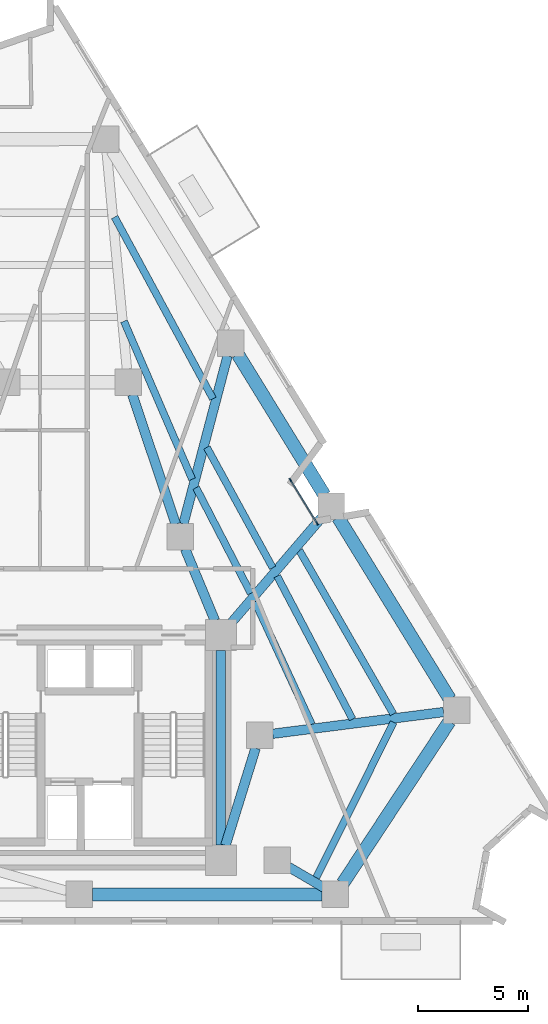
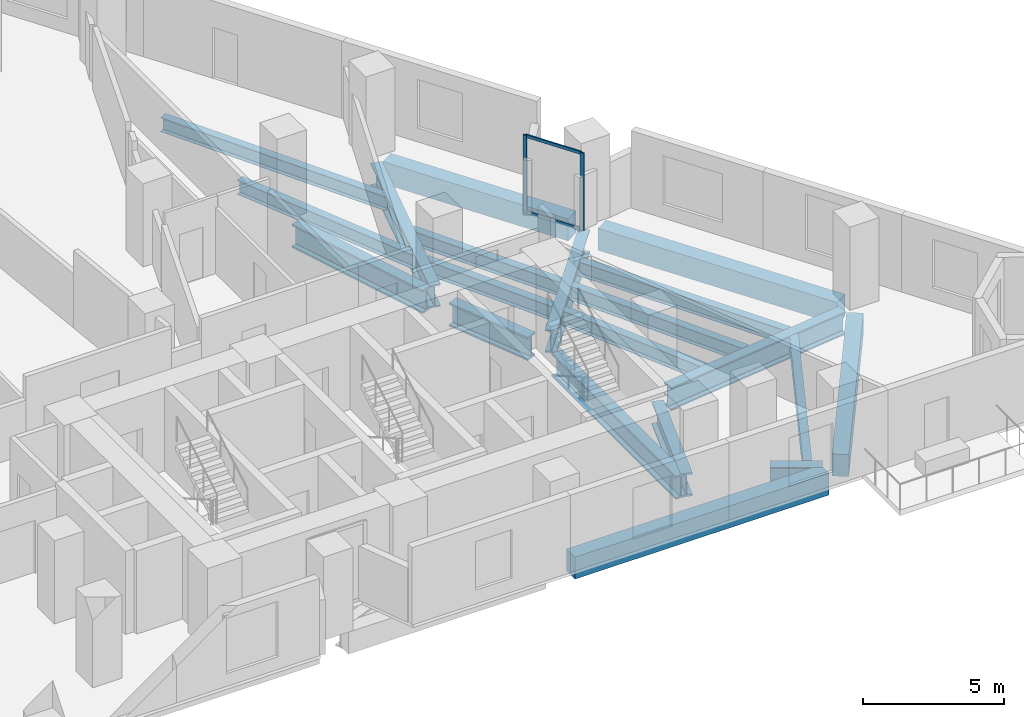
# One storey, part 4 of 13: 20 beams, 4 members, 1 element without a shape of its own.
"""IFC4 building model written with IfcOpenShell, lengths in metres."""

from ifc_helpers import new_model, si_unit, direction, frame, origin, origin_2d, place, context, subcontext, project, spatial, rectangle, i_section, extrude, material, layer, layer_set, material_profile, profile_set, type_object, element, aggregate, save


model = new_model("IFC4")

# Units and contexts
model_context = context("Model", 3, precision=1e-05, world=origin(), true_north=direction((0.0, 1.0)))
body_context = subcontext(model_context, "Body", "Model", "MODEL_VIEW")
ifc_project = project(units=[si_unit("LENGTHUNIT", "METRE"), si_unit("AREAUNIT", "SQUARE_METRE"), si_unit("VOLUMEUNIT", "CUBIC_METRE"), si_unit("PLANEANGLEUNIT", "RADIAN"), si_unit("MASSUNIT", "GRAM", prefix="KILO")], contexts=[model_context])

# Site, building, storey
site_placement = place(None, origin())
site = spatial("IfcSite", under=ifc_project, at=site_placement, CompositionType="ELEMENT")
building_placement = place(site_placement, origin())
building = spatial("IfcBuilding", under=site, at=building_placement, Name="Almagre Mirador Tower", CompositionType="ELEMENT")
storey_placement = place(building_placement, frame((0.0, 0.0, 85.800048828125)))
storey = spatial("IfcBuildingStorey", under=building, at=storey_placement, Name="L21", CompositionType="ELEMENT", Elevation=85.800048828125)

# Beams
ifc_material_1 = material(Name="Steel ASTM A992 Grade 50", Category="steel")
ifc_material_profile_1 = material_profile(ifc_material_1, i_section(OverallWidth=0.323974609375, OverallDepth=0.611083984375, WebThickness=0.0126953125, FlangeThickness=0.01904296875, FilletRadius=0.02001953125, at=origin_2d()), Name="W24X104")
ifc_profile_set_1 = profile_set([ifc_material_profile_1], Name="Steel ASTM A992 Grade 50")
beam_type_1 = type_object("IfcBeamType", Name="BM-JST-W24X104", PredefinedType="JOIST", material=ifc_profile_set_1)
beam_1_placement = place(storey_placement, frame((51.36865234375, 3.75927734375, -0.5556640625), z_axis=(0.445858512844, 0.89510345018, 0.0), x_axis=(-0.89510345018, 0.445858512844, 0.0)))
element("IfcBeam", 1, at=beam_1_placement, inside=storey, type_object=beam_type_1, Name="L21 secondary floor joist PC04-PC05.1", PredefinedType="JOIST", context=body_context, shape_type="SweptSolid", body=[
    extrude(i_section(OverallWidth=0.323974609375, OverallDepth=0.611083984375, WebThickness=0.0126953125, FlangeThickness=0.01904296875, FilletRadius=0.02001953125, at=origin_2d()), origin(), (0.0, 0.0, 1.0), 7.858154296875),
])
beam_2_placement = place(storey_placement, frame((54.861083984375, 11.170166015625, -0.5556640625), z_axis=(-0.498260180267, 0.867027561707, 0.0), x_axis=(-0.867027561707, -0.498260180267, 0.0)))
element("IfcBeam", 2, at=beam_2_placement, inside=storey, type_object=beam_type_1, Name="L21 secondary floor joist PC05-PC06.1", PredefinedType="JOIST", context=body_context, shape_type="SweptSolid", body=[
    extrude(i_section(OverallWidth=0.323974609375, OverallDepth=0.611083984375, WebThickness=0.0126953125, FlangeThickness=0.01904296875, FilletRadius=0.02001953125, at=origin_2d()), origin(), (0.0, 0.0, 1.0), 8.54638671875),
])
beam_3_placement = place(storey_placement, frame((53.010498046875, 10.937744140625, -0.5556640625), z_axis=(-0.466003449067, 0.884782903009, 0.0), x_axis=(-0.884782903009, -0.466003449067, 0.0)))
element("IfcBeam", 3, at=beam_3_placement, inside=storey, type_object=beam_type_1, Name="L21 secondary floor joist PC05-PC06.2", PredefinedType="JOIST", context=body_context, shape_type="SweptSolid", body=[
    extrude(i_section(OverallWidth=0.323974609375, OverallDepth=0.611083984375, WebThickness=0.0126953125, FlangeThickness=0.01904296875, FilletRadius=0.02001953125, at=origin_2d()), origin(), (0.0, 0.0, 1.0), 7.320556640625),
])
beam_4_placement = place(storey_placement, frame((51.16259765625, 10.7060546875, -0.5556640625), z_axis=(-0.420643946583, 0.90722580993, 0.0), x_axis=(-0.90722580993, -0.420643946583, 0.0)))
element("IfcBeam", 4, at=beam_4_placement, inside=storey, type_object=beam_type_1, Name="L21 secondary floor joist PC05-PC06.3", PredefinedType="JOIST", context=body_context, shape_type="SweptSolid", body=[
    extrude(i_section(OverallWidth=0.323974609375, OverallDepth=0.611083984375, WebThickness=0.0126953125, FlangeThickness=0.01904296875, FilletRadius=0.02001953125, at=origin_2d()), origin(), (0.0, 0.0, 1.0), 6.109375),
])
beam_5_placement = place(storey_placement, frame((49.396728515625, 17.7919921875, -0.5556640625), z_axis=(-0.479727277222, 0.877417653965, 0.0), x_axis=(-0.877417653965, -0.479727277222, 0.0)))
element("IfcBeam", 5, at=beam_5_placement, inside=storey, type_object=beam_type_1, Name="L21 secondary floor joist PC06-PC07.2", PredefinedType="JOIST", context=body_context, shape_type="SweptSolid", body=[
    extrude(i_section(OverallWidth=0.323974609375, OverallDepth=0.611083984375, WebThickness=0.0126953125, FlangeThickness=0.01904296875, FilletRadius=0.02001953125, at=origin_2d()), origin(), (0.0, 0.0, 1.0), 6.2138671875),
])
beam_6_placement = place(storey_placement, frame((48.404296875, 16.6328125, -0.5556640625), z_axis=(-0.459287235834, 0.888287810904, 0.0), x_axis=(-0.888287810904, -0.459287235834, 0.0)))
element("IfcBeam", 6, at=beam_6_placement, inside=storey, type_object=beam_type_1, Name="L21 secondary floor joist PC06-PC07.3", PredefinedType="JOIST", context=body_context, shape_type="SweptSolid", body=[
    extrude(i_section(OverallWidth=0.323974609375, OverallDepth=0.611083984375, WebThickness=0.0126953125, FlangeThickness=0.01904296875, FilletRadius=0.02001953125, at=origin_2d()), origin(), (0.0, 0.0, 1.0), 5.384765625),
])
beam_7_placement = place(storey_placement, frame((46.69140625, 25.44580078125, -0.5556640625), z_axis=(-0.475871200759, 0.879514980139, 0.0), x_axis=(-0.879514980139, -0.475871200759, 0.0)))
element("IfcBeam", 7, at=beam_7_placement, inside=storey, type_object=beam_type_1, Name="L21 secondary floor joist PC07-PC08.1", PredefinedType="JOIST", context=body_context, shape_type="SweptSolid", body=[
    extrude(i_section(OverallWidth=0.323974609375, OverallDepth=0.611083984375, WebThickness=0.0126953125, FlangeThickness=0.01904296875, FilletRadius=0.02001953125, at=origin_2d()), origin(), (0.0, 0.0, 1.0), 9.356201171875),
])
beam_8_placement = place(storey_placement, frame((45.748046875, 21.802490234375, -0.5556640625), z_axis=(-0.396311768179, 0.918115996159, 0.0), x_axis=(-0.918115996159, -0.396311768179, 0.0)))
element("IfcBeam", 8, at=beam_8_placement, inside=storey, type_object=beam_type_1, Name="L21 secondary floor joist PC07-PC08.3", PredefinedType="JOIST", context=body_context, shape_type="SweptSolid", body=[
    extrude(i_section(OverallWidth=0.323974609375, OverallDepth=0.611083984375, WebThickness=0.0126953125, FlangeThickness=0.01904296875, FilletRadius=0.02001953125, at=origin_2d()), origin(), (0.0, 0.0, 1.0), 7.79150390625),
])
ifc_material_2 = material(Name="Precast concrete C50/60", Category="concrete")
ifc_material_profile_2 = material_profile(ifc_material_2, rectangle(XDim=0.60009765625, YDim=0.949951171875, at=origin_2d()), Name="RC600X950")
ifc_profile_set_2 = profile_set([ifc_material_profile_2], Name="Precast concrete C50/60")
beam_type_2 = type_object("IfcBeamType", Name="BM-SPN-RC600X950", PredefinedType="SPANDREL", material=ifc_profile_set_2)
beam_9_placement = place(storey_placement, frame((41.239990234375, 3.0, -0.72509765625), z_axis=(1.0, 0.0, 0.0), x_axis=(0.0, 1.0, 0.0)))
element("IfcBeam", 9, at=beam_9_placement, inside=storey, type_object=beam_type_2, Name="L21 perimeter spandrel beam PC03-PC04", PredefinedType="SPANDREL", context=body_context, shape_type="SweptSolid", body=[
    extrude(rectangle(XDim=0.60009765625, YDim=0.949951171875, at=origin_2d()), origin(), (0.0, 0.0, 1.0), 10.39990234375),
])
beam_10_placement = place(storey_placement, frame((52.570068359375, 3.501220703125, -0.72509765625), z_axis=(0.550014218611, 0.835155290545, 0.0), x_axis=(-0.835155290545, 0.550014218611, 0.0)))
element("IfcBeam", 10, at=beam_10_placement, inside=storey, type_object=beam_type_2, Name="L21 perimeter spandrel beam PC04-PC05", PredefinedType="SPANDREL", context=body_context, shape_type="SweptSolid", body=[
    extrude(rectangle(XDim=0.60009765625, YDim=0.949951171875, at=origin_2d()), origin(), (0.0, 0.0, 1.0), 8.78125),
])
beam_11_placement = place(storey_placement, frame((57.415771484375, 11.84716796875, -0.72509765625), z_axis=(-0.523677963784, 0.85191630472, 0.0), x_axis=(-0.85191630472, -0.523677963784, 0.0)))
element("IfcBeam", 11, at=beam_11_placement, inside=storey, type_object=beam_type_2, Name="L21 perimeter spandrel beam PC05-PC06", PredefinedType="SPANDREL", context=body_context, shape_type="SweptSolid", body=[
    extrude(rectangle(XDim=0.60009765625, YDim=0.949951171875, at=origin_2d()), origin(), (0.0, 0.0, 1.0), 9.646240234375),
])
beam_12_placement = place(storey_placement, frame((51.73583984375, 21.087158203125, -0.72509765625), z_axis=(-0.523685630809, 0.851911591707, 0.0), x_axis=(-0.851911591707, -0.523685630809, 0.0)))
element("IfcBeam", 12, at=beam_12_placement, inside=storey, type_object=beam_type_2, Name="L21 perimeter spandrel beam PC06-PC07", PredefinedType="SPANDREL", context=body_context, shape_type="SweptSolid", body=[
    extrude(rectangle(XDim=0.60009765625, YDim=0.949951171875, at=origin_2d()), origin(), (0.0, 0.0, 1.0), 7.476806640625),
])
ifc_material_3 = material(Name="Steel ASTM A992 Grade 50", Category="steel")
ifc_material_profile_3 = material_profile(ifc_material_3, i_section(OverallWidth=0.427978515625, OverallDepth=0.97509765625, WebThickness=0.031005859375, FlangeThickness=0.055908203125, FilletRadius=0.028076171875, at=origin_2d()), Name="W36X395")
ifc_profile_set_3 = profile_set([ifc_material_profile_3], Name="Steel ASTM A992 Grade 50")
beam_type_3 = type_object("IfcBeamType", Name="BM-STL-W36X395", PredefinedType="BEAM", material=ifc_profile_set_3)
beam_13_placement = place(storey_placement, frame((51.72265625, 3.3037109375, -0.737548828125), z_axis=(-0.862372214541, 0.50627479059, 0.0), x_axis=(-0.50627479059, -0.862372214541, 0.0)))
element("IfcBeam", 13, at=beam_13_placement, inside=storey, type_object=beam_type_3, Name="L21 radial floor girder PC04-MC2", PredefinedType="BEAM", context=body_context, shape_type="SweptSolid", body=[
    extrude(i_section(OverallWidth=0.427978515625, OverallDepth=0.97509765625, WebThickness=0.031005859375, FlangeThickness=0.055908203125, FilletRadius=0.028076171875, at=origin_2d()), origin(), (0.0, 0.0, 1.0), 1.861328125),
])
beam_14_placement = place(storey_placement, frame((57.134765625, 11.26025390625, -0.737548828125), z_axis=(-0.992004466141, -0.126202770006, 0.0), x_axis=(0.126202770006, -0.992004466141, 0.0)))
element("IfcBeam", 14, at=beam_14_placement, inside=storey, type_object=beam_type_3, Name="L21 radial floor girder PC05-MC3", PredefinedType="BEAM", context=body_context, shape_type="SweptSolid", body=[
    extrude(i_section(OverallWidth=0.427978515625, OverallDepth=0.97509765625, WebThickness=0.031005859375, FlangeThickness=0.055908203125, FilletRadius=0.028076171875, at=origin_2d()), origin(), (0.0, 0.0, 1.0), 7.802001953125),
])
beam_15_placement = place(storey_placement, frame((51.6591796875, 20.12060546875, -0.737548828125), z_axis=(-0.651270456957, -0.758845697026, 0.0), x_axis=(0.758845697026, -0.651270456957, 0.0)))
element("IfcBeam", 15, at=beam_15_placement, inside=storey, type_object=beam_type_3, Name="L21 radial floor girder PC06-CC6", PredefinedType="BEAM", context=body_context, shape_type="SweptSolid", body=[
    extrude(i_section(OverallWidth=0.427978515625, OverallDepth=0.97509765625, WebThickness=0.031005859375, FlangeThickness=0.055908203125, FilletRadius=0.028076171875, at=origin_2d()), origin(), (0.0, 0.0, 1.0), 6.377197265625),
])
beam_16_placement = place(storey_placement, frame((47.353515625, 27.3876953125, -0.737548828125), z_axis=(-0.25437719106, -0.967105084605, 0.0), x_axis=(0.967105084605, -0.25437719106, 0.0)))
element("IfcBeam", 16, at=beam_16_placement, inside=storey, type_object=beam_type_3, Name="L21 radial floor girder PC07-MC5", PredefinedType="BEAM", context=body_context, shape_type="SweptSolid", body=[
    extrude(i_section(OverallWidth=0.427978515625, OverallDepth=0.97509765625, WebThickness=0.031005859375, FlangeThickness=0.055908203125, FilletRadius=0.028076171875, at=origin_2d()), origin(), (0.0, 0.0, 1.0), 7.8662109375),
])
ifc_material_4 = material(Name="Steel ASTM A992 Grade 50", Category="steel")
ifc_material_profile_4 = material_profile(ifc_material_4, i_section(OverallWidth=0.43701171875, OverallDepth=1.010986328125, WebThickness=0.041015625, FlangeThickness=0.073974609375, FilletRadius=0.028076171875, at=origin_2d()), Name="W36X529")
ifc_profile_set_4 = profile_set([ifc_material_profile_4], Name="Steel ASTM A992 Grade 50")
beam_type_4 = type_object("IfcBeamType", Name="BM-STL-W36X529", PredefinedType="BEAM", material=ifc_profile_set_4)
beam_17_placement = place(storey_placement, frame((47.050048828125, 5.25, -0.755615234375), z_axis=(0.0, 1.0, 0.0), x_axis=(-1.0, 0.0, 0.0)))
element("IfcBeam", 17, at=beam_17_placement, inside=storey, type_object=beam_type_4, Name="L21 core tie girder CC3-CC6", PredefinedType="BEAM", context=body_context, shape_type="SweptSolid", body=[
    extrude(i_section(OverallWidth=0.43701171875, OverallDepth=1.010986328125, WebThickness=0.041015625, FlangeThickness=0.073974609375, FilletRadius=0.028076171875, at=origin_2d()), origin(), (0.0, 0.0, 1.0), 8.800048828125),
])
beam_18_placement = place(storey_placement, frame((48.62255859375, 9.626953125, -0.755615234375), z_axis=(-0.295888328273, -0.955222538046, 0.0), x_axis=(0.955222538046, -0.295888328273, 0.0)))
element("IfcBeam", 18, at=beam_18_placement, inside=storey, type_object=beam_type_4, Name="L21 core tie girder MC3-CC3", PredefinedType="BEAM", context=body_context, shape_type="SweptSolid", body=[
    extrude(i_section(OverallWidth=0.43701171875, OverallDepth=1.010986328125, WebThickness=0.041015625, FlangeThickness=0.073974609375, FilletRadius=0.028076171875, at=origin_2d()), origin(), (0.0, 0.0, 1.0), 4.61474609375),
])
beam_19_placement = place(storey_placement, frame((45.430419921875, 18.64599609375, -0.755615234375), z_axis=(0.383856635851, -0.923392702545, 0.0), x_axis=(0.923392702545, 0.383856635851, 0.0)))
element("IfcBeam", 19, at=beam_19_placement, inside=storey, type_object=beam_type_4, Name="L21 core tie girder MC5-CC6", PredefinedType="BEAM", context=body_context, shape_type="SweptSolid", body=[
    extrude(i_section(OverallWidth=0.43701171875, OverallDepth=1.010986328125, WebThickness=0.041015625, FlangeThickness=0.073974609375, FilletRadius=0.028076171875, at=origin_2d()), origin(), (0.0, 0.0, 1.0), 3.51904296875),
])
beam_20_placement = place(storey_placement, frame((43.041015625, 25.631103515625, -0.755615234375), z_axis=(0.318252395552, -0.948006019351, 0.0), x_axis=(0.948006019351, 0.318252395552, 0.0)))
element("IfcBeam", 20, at=beam_20_placement, inside=storey, type_object=beam_type_4, Name="L21 core tie girder MC6-MC5", PredefinedType="BEAM", context=body_context, shape_type="SweptSolid", body=[
    extrude(i_section(OverallWidth=0.43701171875, OverallDepth=1.010986328125, WebThickness=0.041015625, FlangeThickness=0.073974609375, FilletRadius=0.028076171875, at=origin_2d()), origin(), (0.0, 0.0, 1.0), 6.183837890625),
])

# Curtain wall, members
ifc_material_5 = material(Name="Black anodized aluminium", Category="aluminium")
ifc_layer = layer(ifc_material_5, 0.169921875)
ifc_layer_set = layer_set([ifc_layer], Name="Black anodized aluminium")
curtain_wall_type = type_object("IfcCurtainWallType", Name="CW-CRS-SYS", PredefinedType="NOTDEFINED", material=ifc_layer_set)
curtain_wall_placement = place(storey_placement, origin())
curtain_wall = element("IfcCurtainWall", 21, at=curtain_wall_placement, inside=storey, type_object=curtain_wall_type, Name="L21 vertical crease curtain wall 03", PredefinedType="NOTDEFINED")
ifc_material_6 = material(Name="Black anodized aluminium", Category="aluminium")
ifc_material_profile_5 = material_profile(ifc_material_6, rectangle(XDim=0.06005859375, YDim=0.14990234375, at=origin_2d()), Name="CWM60X150")
ifc_profile_set_5 = profile_set([ifc_material_profile_5], Name="Black anodized aluminium")
member_type_1 = type_object("IfcMemberType", Name="MBR-CWM60X150", PredefinedType="MULLION", material=ifc_profile_set_5)
member_1_placement = place(storey_placement, frame((50.19921875, 21.770751953125, 0.0), z_axis=(0.0, 0.0, 1.0), x_axis=(0.851713367906, 0.524007956934, 0.0)))
member_1 = element("IfcMember", 22, at=member_1_placement, type_object=member_type_1, Name="CW-4 mullion 1", PredefinedType="MULLION", context=body_context, shape_type="SweptSolid", body=[
    extrude(rectangle(XDim=0.06005859375, YDim=0.14990234375, at=origin_2d()), origin(), (0.0, 0.0, 1.0), 3.349853515625),
])
member_2_placement = place(storey_placement, frame((51.40966796875, 19.803466796875, 0.0), z_axis=(0.0, 0.0, 1.0), x_axis=(0.851713367906, 0.524007956934, 0.0)))
member_2 = element("IfcMember", 23, at=member_2_placement, type_object=member_type_1, Name="CW-4 mullion 2", PredefinedType="MULLION", context=body_context, shape_type="SweptSolid", body=[
    extrude(rectangle(XDim=0.06005859375, YDim=0.14990234375, at=origin_2d()), origin(), (0.0, 0.0, 1.0), 3.349853515625),
])
ifc_material_7 = material(Name="Black anodized aluminium", Category="aluminium")
ifc_material_profile_6 = material_profile(ifc_material_7, rectangle(XDim=0.06005859375, YDim=0.1298828125, at=origin_2d()), Name="CWT60X130")
ifc_profile_set_6 = profile_set([ifc_material_profile_6], Name="Black anodized aluminium")
member_type_2 = type_object("IfcMemberType", Name="MBR-CWT60X130", PredefinedType="USERDEFINED", material=ifc_profile_set_6)
member_3_placement = place(storey_placement, frame((50.215087890625, 21.7451171875, 0.030029296875), z_axis=(0.524006607546, -0.851714198101, 0.0), x_axis=(0.851714198101, 0.524006607546, 0.0)))
member_3 = element("IfcMember", 24, at=member_3_placement, type_object=member_type_2, Name="CW-4 transom 1.1", ObjectType="TRANSOM", PredefinedType="USERDEFINED", context=body_context, shape_type="SweptSolid", body=[
    extrude(rectangle(XDim=0.06005859375, YDim=0.1298828125, at=origin_2d()), origin(), (0.0, 0.0, 1.0), 2.25),
])
member_4_placement = place(storey_placement, frame((50.215087890625, 21.7451171875, 3.320068359375), z_axis=(0.524006607546, -0.851714198101, 0.0), x_axis=(0.851714198101, 0.524006607546, 0.0)))
member_4 = element("IfcMember", 25, at=member_4_placement, type_object=member_type_2, Name="CW-4 transom 1.2", ObjectType="TRANSOM", PredefinedType="USERDEFINED", context=body_context, shape_type="SweptSolid", body=[
    extrude(rectangle(XDim=0.06005859375, YDim=0.1298828125, at=origin_2d()), origin(), (0.0, 0.0, 1.0), 2.25),
])
aggregate(curtain_wall, [member_1, member_2, member_3, member_4])

save(model, "model.ifc")
